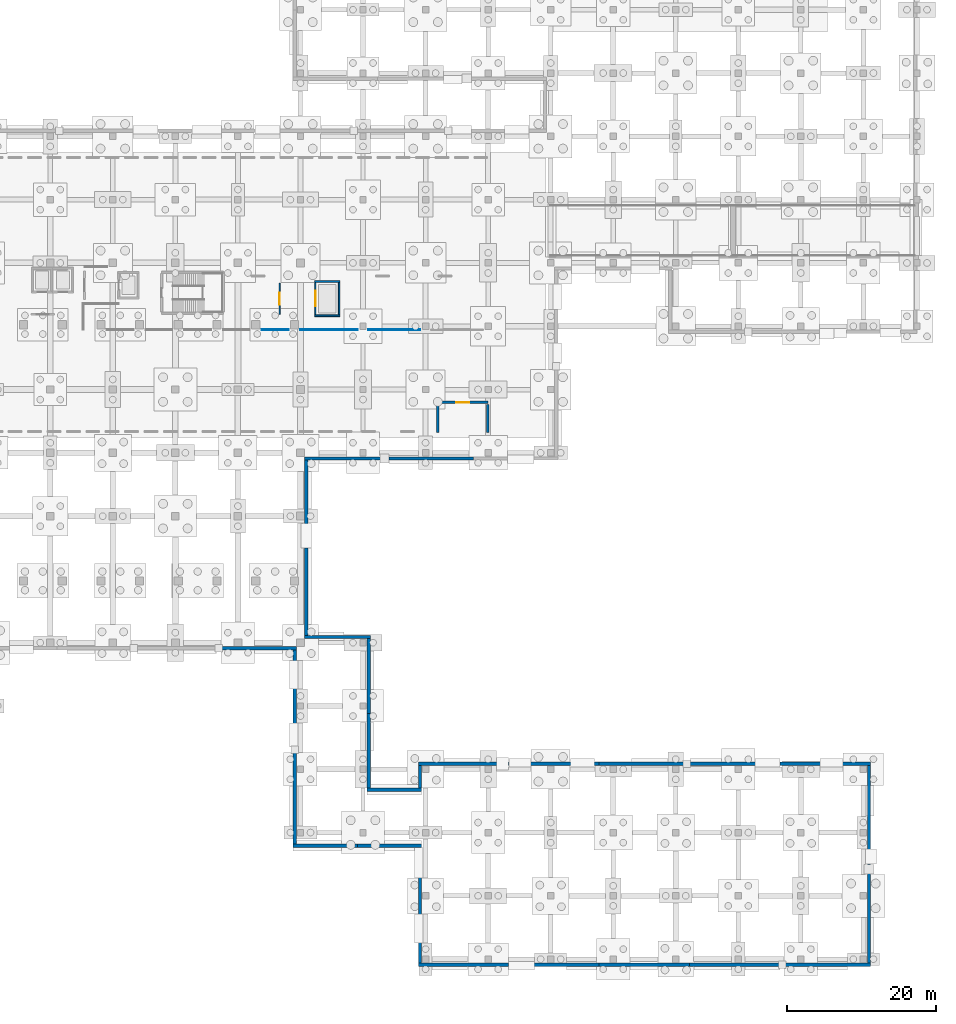
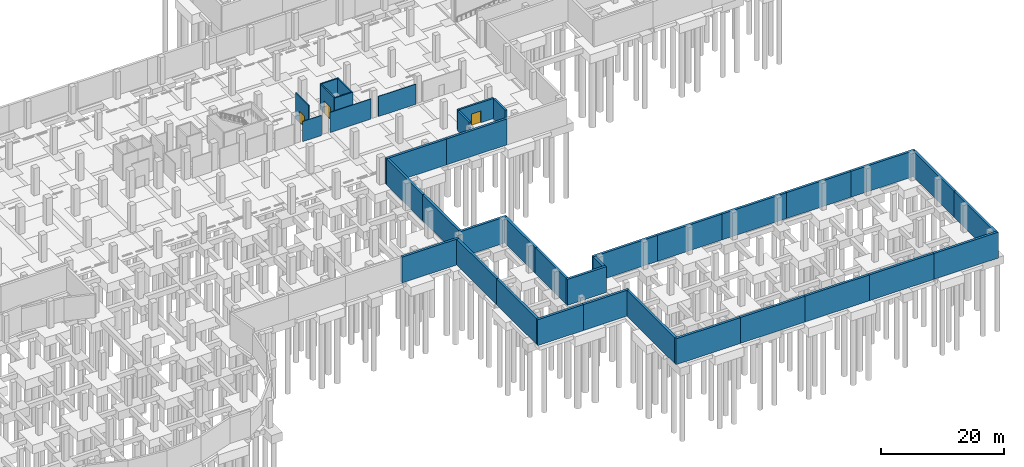
# One storey, part 26 of 34: 38 walls, 3 doors, 3 openings.
"""IFC4 building model written with IfcOpenShell, lengths in metres."""

from ifc_helpers import new_model, si_unit, direction, frame, frame_2d, origin, place, context, subcontext, project, spatial, rectangle, extrude, material, layer, layer_set, type_object, element, fill, save


model = new_model("IFC4")

# Units and contexts
model_context = context("Model", 3, precision=1e-05, world=origin(), true_north=direction((0.0, 1.0)))
body_context = subcontext(model_context, "Body", "Model", "MODEL_VIEW")
ifc_project = project(units=[si_unit("LENGTHUNIT", "METRE"), si_unit("AREAUNIT", "SQUARE_METRE"), si_unit("VOLUMEUNIT", "CUBIC_METRE"), si_unit("PLANEANGLEUNIT", "RADIAN"), si_unit("MASSUNIT", "GRAM", prefix="KILO")], contexts=[model_context])

# Site, building, storey
site_placement = place(None, origin())
site = spatial("IfcSite", under=ifc_project, at=site_placement, CompositionType="ELEMENT")
building_placement = place(site_placement, origin())
building = spatial("IfcBuilding", under=site, at=building_placement, Name="Solvento Point Concert Hall", CompositionType="ELEMENT")
storey_placement = place(building_placement, frame((0.0, 0.0, -5.39990234375)))
storey = spatial("IfcBuildingStorey", under=building, at=storey_placement, Name="B01", CompositionType="ELEMENT", Elevation=-5.39990234375)

# Walls
ifc_material_1 = material(Name="Acoustic Double-Stud Gypsum Partition")
ifc_layer_1 = layer(ifc_material_1, 0.1201171875)
ifc_layer_set_1 = layer_set([ifc_layer_1], Name="Acoustic Double-Stud Gypsum Partition")
wall_type_1 = type_object("IfcWallType", Name="AcousticPartition_120", PredefinedType="PARTITIONING", material=ifc_layer_set_1)
wall_1_placement = place(storey_placement, frame((149.320068359375, 84.52001953125, 0.0), z_axis=(0.0, 0.0, 1.0), x_axis=(-1.0, 0.0, 0.0)))
element("IfcWall", 1, at=wall_1_placement, inside=storey, type_object=wall_type_1, Name="Interior acoustic partition PW-52 B01", PredefinedType="PARTITIONING", context=body_context, shape_type="SweptSolid", body=[
    extrude(rectangle(XDim=7.0400390625, YDim=0.1201171875, at=frame_2d((3.52001953125, 0.0))), origin(), (0.0, 0.0, 1.0), 4.02001953125),
])
wall_2_placement = place(storey_placement, frame((140.919921875, 84.52001953125, 0.0), z_axis=(0.0, 0.0, 1.0), x_axis=(-1.0, 0.0, 0.0)))
element("IfcWall", 2, at=wall_2_placement, inside=storey, type_object=wall_type_1, Name="Interior acoustic partition PW-52 B01", PredefinedType="PARTITIONING", context=body_context, shape_type="SweptSolid", body=[
    extrude(rectangle(XDim=7.719970703125, YDim=0.1201171875, at=frame_2d((3.85986328125, 0.0))), origin(), (0.0, 0.0, 1.0), 4.02001953125),
])
wall_3_placement = place(storey_placement, frame((131.60009765625, 84.52001953125, 0.0), z_axis=(0.0, 0.0, 1.0), x_axis=(-1.0, 0.0, 0.0)))
element("IfcWall", 3, at=wall_3_placement, inside=storey, type_object=wall_type_1, Name="Interior acoustic partition PW-52 B01", PredefinedType="PARTITIONING", context=body_context, shape_type="SweptSolid", body=[
    extrude(rectangle(XDim=3.60009765625, YDim=0.1201171875, at=frame_2d((1.800048828125, 0.0))), origin(), (0.0, 0.0, 1.0), 4.02001953125),
])

# Wall, opening, door
ifc_material_2 = material(Name="Acoustic Double-Stud Gypsum Partition")
ifc_layer_2 = layer(ifc_material_2, 0.2080078125)
ifc_layer_set_2 = layer_set([ifc_layer_2], Name="Acoustic Double-Stud Gypsum Partition")
wall_type_2 = type_object("IfcWallType", Name="AcousticPartition_208", PredefinedType="PARTITIONING", material=ifc_layer_set_2)
wall_4_placement = place(storey_placement, frame((130.39990234375, 90.800048828125, 0.0), z_axis=(0.0, 0.0, 1.0), x_axis=(0.0, -1.0, 0.0)))
wall_4 = element("IfcWall", 4, at=wall_4_placement, inside=storey, type_object=wall_type_2, Name="Lift lobby partition LG-01 B01", PredefinedType="PARTITIONING", context=body_context, shape_type="SweptSolid", body=[
    extrude(rectangle(XDim=4.199951171875, YDim=0.2080078125, at=frame_2d((2.10009765625, 0.0))), origin(), (0.0, 0.0, 1.0), 5.099853515625),
])
opening_1_placement = place(wall_4_placement, frame((1.27490234375, 0.0, 0.0)))
opening_1 = element("IfcOpeningElement", 5, at=opening_1_placement, cuts=wall_4, Name="Opening D-FL1", PredefinedType="OPENING", context=body_context, shape_type="SweptSolid", body=[
    extrude(rectangle(XDim=1.64990234375, YDim=2.199951171875, at=frame_2d((0.824951171875, 1.10009765625))), frame((0.0, 0.114013671875, 0.0), z_axis=(0.0, -1.0, 0.0), x_axis=(1.0, 0.0, 0.0)), (0.0, 0.0, 1.0), 0.22802734375),
])
ifc_material_3 = material(Name="Hollow Metal Acoustic Fire Door")
door_type_1 = type_object("IfcDoorType", Name="FireLobbyDoor_1600", OperationType="DOUBLE_DOOR_SINGLE_SWING", PredefinedType="DOOR", material=ifc_material_3)
door_1_placement = place(opening_1_placement, origin())
door_1 = element("IfcDoor", 6, at=door_1_placement, inside=storey, type_object=door_type_1, Name="Lift lobby door LG-01 B01", OperationType="DOUBLE_DOOR_SINGLE_SWING", OverallHeight=2.199951171875, OverallWidth=1.64990234375, PredefinedType="DOOR", context=body_context, shape_type="SweptSolid", body=[
    extrude(rectangle(XDim=1.64990234375, YDim=2.199951171875, at=frame_2d((0.824951171875, 1.10009765625))), frame((0.0, 0.02490234375, 0.0), z_axis=(0.0, -1.0, 0.0), x_axis=(1.0, 0.0, 0.0)), (0.0, 0.0, 1.0), 0.050048828125),
])
fill(opening_1, door_1)

ifc_material_4 = material(Name="Acoustic Double-Stud Gypsum Partition")
ifc_layer_3 = layer(ifc_material_4, 0.340087890625)
ifc_layer_set_3 = layer_set([ifc_layer_3], Name="Acoustic Double-Stud Gypsum Partition")
wall_type_3 = type_object("IfcWallType", Name="AcousticPartition_340", PredefinedType="PARTITIONING", material=ifc_layer_set_3)
wall_5_placement = place(storey_placement, frame((151.6201171875, 74.780029296875, 0.0), z_axis=(0.0, 0.0, 1.0), x_axis=(1.0, 0.0, 0.0)))
wall_5 = element("IfcWall", 7, at=wall_5_placement, inside=storey, type_object=wall_type_3, Name="Interior acoustic partition PW-24 B01", PredefinedType="PARTITIONING", context=body_context, shape_type="SweptSolid", body=[
    extrude(rectangle(XDim=6.759765625, YDim=0.340087890625, at=frame_2d((3.3798828125, 0.0))), origin(), (0.0, 0.0, 1.0), 4.02001953125),
])
opening_2_placement = place(wall_5_placement, frame((2.47998046875, 0.0, 0.0)))
opening_2 = element("IfcOpeningElement", 8, at=opening_2_placement, cuts=wall_5, Name="Opening DR-98", PredefinedType="OPENING", context=body_context, shape_type="SweptSolid", body=[
    extrude(rectangle(XDim=1.800048828125, YDim=2.340087890625, at=frame_2d((0.89990234375, 1.169921875))), frame((0.0, 0.179931640625, 0.0), z_axis=(0.0, -1.0, 0.0), x_axis=(1.0, 0.0, 0.0)), (0.0, 0.0, 1.0), 0.360107421875),
])
ifc_material_5 = material(Name="Brazilian Hardwood Acoustic Door", Category="wood")
door_type_2 = type_object("IfcDoorType", Name="IntDoor_SubstationPlant", OperationType="NOTDEFINED", PredefinedType="DOOR", material=ifc_material_5)
door_2_placement = place(opening_2_placement, origin())
door_2 = element("IfcDoor", 9, at=door_2_placement, inside=storey, type_object=door_type_2, Name="Interior door DR-98 B01", OperationType="SINGLE_SWING_LEFT", OverallHeight=2.340087890625, OverallWidth=1.800048828125, PredefinedType="DOOR", context=body_context, shape_type="SweptSolid", body=[
    extrude(rectangle(XDim=1.800048828125, YDim=2.340087890625, at=frame_2d((0.89990234375, 1.169921875))), frame((0.0, 0.02490234375, 0.0), z_axis=(0.0, -1.0, 0.0), x_axis=(1.0, 0.0, 0.0)), (0.0, 0.0, 1.0), 0.050048828125),
])
fill(opening_2, door_2)

# Walls
for number, where, z_axis, x_axis, name in (
    (10, (158.3798828125, 74.4599609375, 0.0), (0.0, 0.0, 1.0), (0.0, -1.0, 0.0), "Interior acoustic partition PW-24 B01"),
    (11, (151.6201171875, 70.699951171875, 0.0), (0.0, 0.0, 1.0), (0.0, 1.0, 0.0), "Interior acoustic partition PW-24 B01"),
):
    element("IfcWall", number, at=place(storey_placement, frame(where, z_axis=z_axis, x_axis=x_axis)), inside=storey, type_object=wall_type_3, Name=name, PredefinedType="PARTITIONING", context=body_context, shape_type="SweptSolid", body=[
        extrude(rectangle(XDim=3.760009765625, YDim=0.340087890625, at=frame_2d((1.8798828125, 0.0))), origin(), (0.0, 0.0, 1.0), 4.02001953125),
    ])
ifc_material_6 = material(Name="Concrete C40/50", Category="concrete")
ifc_layer_4 = layer(ifc_material_6, 0.300048828125)
ifc_layer_set_4 = layer_set([ifc_layer_4], Name="Concrete C40/50")
wall_type_4 = type_object("IfcWallType", Name="CoreShearWall_300", PredefinedType="SHEAR", material=ifc_layer_set_4)
for number, where, z_axis, x_axis, name in (
    (12, (135.090087890625, 86.39990234375, 0.0), (0.0, 0.0, 1.0), (1.0, 0.0, 0.0), "Elevator shaft shear wall W-SH1 LG-01 B01"),
    (13, (135.090087890625, 91.0, 0.0), (0.0, 0.0, 1.0), (1.0, 0.0, 0.0), "Elevator shaft shear wall W-SH1 LG-01 B01"),
):
    element("IfcWall", number, at=place(storey_placement, frame(where, z_axis=z_axis, x_axis=x_axis)), inside=storey, type_object=wall_type_4, Name=name, PredefinedType="SHEAR", context=body_context, shape_type="SweptSolid", body=[
        extrude(rectangle(XDim=3.419921875, YDim=0.219970703125, at=frame_2d((1.7099609375, 0.0))), origin(), (0.0, 0.0, 1.0), 5.099853515625),
    ])

# Wall, opening, door
wall_6_placement = place(storey_placement, frame((135.199951171875, 86.510009765625, 0.0), z_axis=(0.0, 0.0, 1.0), x_axis=(0.0, 1.0, 0.0)))
wall_6 = element("IfcWall", 14, at=wall_6_placement, inside=storey, type_object=wall_type_4, Name="Elevator shaft shear wall W-SH1 LG-01 B01", PredefinedType="SHEAR", context=body_context, shape_type="SweptSolid", body=[
    extrude(rectangle(XDim=4.3798828125, YDim=0.219970703125, at=frame_2d((2.18994140625, 0.0))), origin(), (0.0, 0.0, 1.0), 5.099853515625),
])
opening_3_placement = place(wall_6_placement, frame((1.139892578125, 0.0, 0.0)))
opening_3 = element("IfcOpeningElement", 15, at=opening_3_placement, cuts=wall_6, Name="Opening LD-03", PredefinedType="OPENING", context=body_context, shape_type="SweptSolid", body=[
    extrude(rectangle(XDim=2.10009765625, YDim=2.449951171875, at=frame_2d((1.050048828125, 1.22509765625))), frame((0.0, 0.119873046875, 0.0), z_axis=(0.0, -1.0, 0.0), x_axis=(1.0, 0.0, 0.0)), (0.0, 0.0, 1.0), 0.239990234375),
])
ifc_material_7 = material(Name="Hollow Metal Acoustic Fire Door")
door_type_3 = type_object("IfcDoorType", Name="LiftLandingDoor_Goods", OperationType="DOUBLE_DOOR_SLIDING", PredefinedType="DOOR", material=ifc_material_7)
door_3_placement = place(opening_3_placement, origin())
door_3 = element("IfcDoor", 16, at=door_3_placement, inside=storey, type_object=door_type_3, Name="Elevator landing door LG-01 B01", OperationType="DOUBLE_DOOR_SLIDING", OverallHeight=2.449951171875, OverallWidth=2.10009765625, PredefinedType="DOOR", context=body_context, shape_type="SweptSolid", body=[
    extrude(rectangle(XDim=2.10009765625, YDim=2.449951171875, at=frame_2d((1.050048828125, 1.22509765625))), frame((0.0, 0.02490234375, 0.0), z_axis=(0.0, -1.0, 0.0), x_axis=(1.0, 0.0, 0.0)), (0.0, 0.0, 1.0), 0.050048828125),
])
fill(opening_3, door_3)

# Walls
wall_7_placement = place(storey_placement, frame((138.39990234375, 86.510009765625, 0.0), z_axis=(0.0, 0.0, 1.0), x_axis=(0.0, 1.0, 0.0)))
element("IfcWall", 17, at=wall_7_placement, inside=storey, type_object=wall_type_4, Name="Elevator shaft shear wall W-SH1 LG-01 B01", PredefinedType="SHEAR", context=body_context, shape_type="SweptSolid", body=[
    extrude(rectangle(XDim=4.3798828125, YDim=0.219970703125, at=frame_2d((2.18994140625, 0.0))), origin(), (0.0, 0.0, 1.0), 5.099853515625),
])
ifc_material_8 = material(Name="Concrete C35/45", Category="concrete")
ifc_layer_5 = layer(ifc_material_8, 0.449951171875)
ifc_layer_set_5 = layer_set([ifc_layer_5], Name="Concrete C35/45")
wall_type_5 = type_object("IfcWallType", Name="RetainingWall_450", PredefinedType="USERDEFINED", material=ifc_layer_set_5)
wall_8_placement = place(storey_placement, frame((156.429931640625, 67.2451171875, 0.0), z_axis=(0.0, 0.0, 1.0), x_axis=(-1.0, 0.0, 0.0)))
element("IfcWall", 18, at=wall_8_placement, inside=storey, type_object=wall_type_5, Name="Headland plinth retaining wall RW-01", ObjectType="RETAINING WALL", PredefinedType="USERDEFINED", context=body_context, shape_type="SweptSolid", body=[
    extrude(rectangle(XDim=11.349853515625, YDim=0.449951171875, at=frame_2d((5.6748046875, 0.0))), origin(), (0.0, 0.0, 1.0), 5.15478515625),
])
wall_9_placement = place(storey_placement, frame((145.080078125, 67.2451171875, 0.0), z_axis=(0.0, 0.0, 1.0), x_axis=(-1.0, 0.0, 0.0)))
element("IfcWall", 19, at=wall_9_placement, inside=storey, type_object=wall_type_5, Name="Headland plinth retaining wall RW-01", ObjectType="RETAINING WALL", PredefinedType="USERDEFINED", context=body_context, shape_type="SweptSolid", body=[
    extrude(rectangle(XDim=11.35009765625, YDim=0.449951171875, at=frame_2d((5.675048828125, 0.0))), origin(), (0.0, 0.0, 1.0), 5.15478515625),
])
for number, where, z_axis, x_axis, name in (
    (20, (133.955078125, 67.02001953125, 0.0), (0.0, 0.0, 1.0), (0.0, -1.0, 0.0), "Headland plinth retaining wall RW-01"),
    (21, (133.955078125, 55.25, 0.0), (0.0, 0.0, 1.0), (0.0, -1.0, 0.0), "Headland plinth retaining wall RW-01"),
):
    element("IfcWall", number, at=place(storey_placement, frame(where, z_axis=z_axis, x_axis=x_axis)), inside=storey, type_object=wall_type_5, Name=name, ObjectType="RETAINING WALL", PredefinedType="USERDEFINED", context=body_context, shape_type="SweptSolid", body=[
        extrude(rectangle(XDim=11.77001953125, YDim=0.449951171875, at=frame_2d((5.885009765625, 0.0))), origin(), (0.0, 0.0, 1.0), 5.15478515625),
    ])
wall_10_placement = place(storey_placement, frame((133.72998046875, 43.2548828125, 0.0), z_axis=(0.0, 0.0, 1.0), x_axis=(1.0, 0.0, 0.0)))
element("IfcWall", 22, at=wall_10_placement, inside=storey, type_object=wall_type_5, Name="Headland plinth retaining wall RW-01", ObjectType="RETAINING WALL", PredefinedType="USERDEFINED", context=body_context, shape_type="SweptSolid", body=[
    extrude(rectangle(XDim=8.85009765625, YDim=0.449951171875, at=frame_2d((4.425048828125, 0.0))), origin(), (0.0, 0.0, 1.0), 5.15478515625),
])
wall_11_placement = place(storey_placement, frame((142.35498046875, 43.030029296875, 0.0), z_axis=(0.0, 0.0, 1.0), x_axis=(0.0, -1.0, 0.0)))
element("IfcWall", 23, at=wall_11_placement, inside=storey, type_object=wall_type_5, Name="Headland plinth retaining wall RW-01", ObjectType="RETAINING WALL", PredefinedType="USERDEFINED", context=body_context, shape_type="SweptSolid", body=[
    extrude(rectangle(XDim=10.025146484375, YDim=0.449951171875, at=frame_2d((5.0126953125, 0.0))), origin(), (0.0, 0.0, 1.0), 5.15478515625),
])
wall_12_placement = place(storey_placement, frame((142.35498046875, 33.0048828125, 0.0), z_axis=(0.0, 0.0, 1.0), x_axis=(0.0, -1.0, 0.0)))
element("IfcWall", 24, at=wall_12_placement, inside=storey, type_object=wall_type_5, Name="Headland plinth retaining wall RW-01", ObjectType="RETAINING WALL", PredefinedType="USERDEFINED", context=body_context, shape_type="SweptSolid", body=[
    extrude(rectangle(XDim=10.02490234375, YDim=0.449951171875, at=frame_2d((5.012451171875, 0.0))), origin(), (0.0, 0.0, 1.0), 5.15478515625),
])
wall_13_placement = place(storey_placement, frame((142.1298828125, 22.7548828125, 0.0), z_axis=(0.0, 0.0, 1.0), x_axis=(1.0, 0.0, 0.0)))
element("IfcWall", 25, at=wall_13_placement, inside=storey, type_object=wall_type_5, Name="Headland plinth retaining wall RW-01", ObjectType="RETAINING WALL", PredefinedType="USERDEFINED", context=body_context, shape_type="SweptSolid", body=[
    extrude(rectangle(XDim=7.340087890625, YDim=0.449951171875, at=frame_2d((3.669921875, 0.0))), origin(), (0.0, 0.0, 1.0), 5.15478515625),
])
wall_14_placement = place(storey_placement, frame((149.2451171875, 22.97998046875, 0.0), z_axis=(0.0, 0.0, 1.0), x_axis=(0.0, 1.0, 0.0)))
element("IfcWall", 26, at=wall_14_placement, inside=storey, type_object=wall_type_5, Name="Headland plinth retaining wall RW-01", ObjectType="RETAINING WALL", PredefinedType="USERDEFINED", context=body_context, shape_type="SweptSolid", body=[
    extrude(rectangle(XDim=3.050048828125, YDim=0.449951171875, at=frame_2d((1.52490234375, 0.0))), origin(), (0.0, 0.0, 1.0), 5.15478515625),
])
wall_15_placement = place(storey_placement, frame((149.02001953125, 26.2548828125, 0.0), z_axis=(0.0, 0.0, 1.0), x_axis=(1.0, 0.0, 0.0)))
element("IfcWall", 27, at=wall_15_placement, inside=storey, type_object=wall_type_5, Name="Headland plinth retaining wall RW-01", ObjectType="RETAINING WALL", PredefinedType="USERDEFINED", context=body_context, shape_type="SweptSolid", body=[
    extrude(rectangle(XDim=12.152099609375, YDim=0.449951171875, at=frame_2d((6.076171875, 0.0))), origin(), (0.0, 0.0, 1.0), 5.15478515625),
])
wall_16_placement = place(storey_placement, frame((161.172119140625, 26.2548828125, 0.0), z_axis=(0.0, 0.0, 1.0), x_axis=(1.0, 0.0, 0.0)))
element("IfcWall", 28, at=wall_16_placement, inside=storey, type_object=wall_type_5, Name="Headland plinth retaining wall RW-01", ObjectType="RETAINING WALL", PredefinedType="USERDEFINED", context=body_context, shape_type="SweptSolid", body=[
    extrude(rectangle(XDim=12.15185546875, YDim=0.449951171875, at=frame_2d((6.075927734375, 0.0))), origin(), (0.0, 0.0, 1.0), 5.15478515625),
])
wall_17_placement = place(storey_placement, frame((173.323974609375, 26.2548828125, 0.0), z_axis=(0.0, 0.0, 1.0), x_axis=(1.0, 0.0, 0.0)))
element("IfcWall", 29, at=wall_17_placement, inside=storey, type_object=wall_type_5, Name="Headland plinth retaining wall RW-01", ObjectType="RETAINING WALL", PredefinedType="USERDEFINED", context=body_context, shape_type="SweptSolid", body=[
    extrude(rectangle(XDim=12.152099609375, YDim=0.449951171875, at=frame_2d((6.076171875, 0.0))), origin(), (0.0, 0.0, 1.0), 5.15478515625),
])
wall_18_placement = place(storey_placement, frame((185.47607421875, 26.2548828125, 0.0), z_axis=(0.0, 0.0, 1.0), x_axis=(1.0, 0.0, 0.0)))
element("IfcWall", 30, at=wall_18_placement, inside=storey, type_object=wall_type_5, Name="Headland plinth retaining wall RW-01", ObjectType="RETAINING WALL", PredefinedType="USERDEFINED", context=body_context, shape_type="SweptSolid", body=[
    extrude(rectangle(XDim=12.15185546875, YDim=0.449951171875, at=frame_2d((6.075927734375, 0.0))), origin(), (0.0, 0.0, 1.0), 5.15478515625),
])
wall_19_placement = place(storey_placement, frame((197.6279296875, 26.2548828125, 0.0), z_axis=(0.0, 0.0, 1.0), x_axis=(1.0, 0.0, 0.0)))
element("IfcWall", 31, at=wall_19_placement, inside=storey, type_object=wall_type_5, Name="Headland plinth retaining wall RW-01", ObjectType="RETAINING WALL", PredefinedType="USERDEFINED", context=body_context, shape_type="SweptSolid", body=[
    extrude(rectangle(XDim=12.152099609375, YDim=0.449951171875, at=frame_2d((6.076171875, 0.0))), origin(), (0.0, 0.0, 1.0), 5.15478515625),
])
for number, where, z_axis, x_axis, name in (
    (32, (209.554931640625, 26.030029296875, 0.0), (0.0, 0.0, 1.0), (0.0, -1.0, 0.0), "Headland plinth retaining wall RW-01"),
    (33, (209.554931640625, 12.75, 0.0), (0.0, 0.0, 1.0), (0.0, -1.0, 0.0), "Headland plinth retaining wall RW-01"),
):
    element("IfcWall", number, at=place(storey_placement, frame(where, z_axis=z_axis, x_axis=x_axis)), inside=storey, type_object=wall_type_5, Name=name, ObjectType="RETAINING WALL", PredefinedType="USERDEFINED", context=body_context, shape_type="SweptSolid", body=[
        extrude(rectangle(XDim=13.280029296875, YDim=0.449951171875, at=frame_2d((6.64013671875, 0.0))), origin(), (0.0, 0.0, 1.0), 5.15478515625),
    ])
wall_20_placement = place(storey_placement, frame((209.780029296875, -0.7548828125, 0.0), z_axis=(0.0, 0.0, 1.0), x_axis=(-1.0, 0.0, 0.0)))
element("IfcWall", 34, at=wall_20_placement, inside=storey, type_object=wall_type_5, Name="Headland plinth retaining wall RW-01", ObjectType="RETAINING WALL", PredefinedType="USERDEFINED", context=body_context, shape_type="SweptSolid", body=[
    extrude(rectangle(XDim=12.152099609375, YDim=0.449951171875, at=frame_2d((6.076171875, 0.0))), origin(), (0.0, 0.0, 1.0), 5.15478515625),
])
wall_21_placement = place(storey_placement, frame((197.6279296875, -0.7548828125, 0.0), z_axis=(0.0, 0.0, 1.0), x_axis=(-1.0, 0.0, 0.0)))
element("IfcWall", 35, at=wall_21_placement, inside=storey, type_object=wall_type_5, Name="Headland plinth retaining wall RW-01", ObjectType="RETAINING WALL", PredefinedType="USERDEFINED", context=body_context, shape_type="SweptSolid", body=[
    extrude(rectangle(XDim=12.15185546875, YDim=0.449951171875, at=frame_2d((6.075927734375, 0.0))), origin(), (0.0, 0.0, 1.0), 5.15478515625),
])
wall_22_placement = place(storey_placement, frame((185.47607421875, -0.7548828125, 0.0), z_axis=(0.0, 0.0, 1.0), x_axis=(-1.0, 0.0, 0.0)))
element("IfcWall", 36, at=wall_22_placement, inside=storey, type_object=wall_type_5, Name="Headland plinth retaining wall RW-01", ObjectType="RETAINING WALL", PredefinedType="USERDEFINED", context=body_context, shape_type="SweptSolid", body=[
    extrude(rectangle(XDim=12.152099609375, YDim=0.449951171875, at=frame_2d((6.076171875, 0.0))), origin(), (0.0, 0.0, 1.0), 5.15478515625),
])
wall_23_placement = place(storey_placement, frame((173.323974609375, -0.7548828125, 0.0), z_axis=(0.0, 0.0, 1.0), x_axis=(-1.0, 0.0, 0.0)))
element("IfcWall", 37, at=wall_23_placement, inside=storey, type_object=wall_type_5, Name="Headland plinth retaining wall RW-01", ObjectType="RETAINING WALL", PredefinedType="USERDEFINED", context=body_context, shape_type="SweptSolid", body=[
    extrude(rectangle(XDim=12.15185546875, YDim=0.449951171875, at=frame_2d((6.075927734375, 0.0))), origin(), (0.0, 0.0, 1.0), 5.15478515625),
])
wall_24_placement = place(storey_placement, frame((161.172119140625, -0.7548828125, 0.0), z_axis=(0.0, 0.0, 1.0), x_axis=(-1.0, 0.0, 0.0)))
element("IfcWall", 38, at=wall_24_placement, inside=storey, type_object=wall_type_5, Name="Headland plinth retaining wall RW-01", ObjectType="RETAINING WALL", PredefinedType="USERDEFINED", context=body_context, shape_type="SweptSolid", body=[
    extrude(rectangle(XDim=12.152099609375, YDim=0.449951171875, at=frame_2d((6.076171875, 0.0))), origin(), (0.0, 0.0, 1.0), 5.15478515625),
])
wall_25_placement = place(storey_placement, frame((149.2451171875, -0.530029296875, 0.0), z_axis=(0.0, 0.0, 1.0), x_axis=(0.0, 1.0, 0.0)))
element("IfcWall", 39, at=wall_25_placement, inside=storey, type_object=wall_type_5, Name="Headland plinth retaining wall RW-01", ObjectType="RETAINING WALL", PredefinedType="USERDEFINED", context=body_context, shape_type="SweptSolid", body=[
    extrude(rectangle(XDim=15.550048828125, YDim=0.449951171875, at=frame_2d((7.77490234375, 0.0))), origin(), (0.0, 0.0, 1.0), 5.15478515625),
])
for number, where, z_axis, x_axis, name in (
    (40, (149.469970703125, 15.2451171875, 0.0), (0.0, 0.0, 1.0), (-1.0, 0.0, 0.0), "Headland plinth retaining wall RW-01"),
    (41, (140.844970703125, 15.2451171875, 0.0), (0.0, 0.0, 1.0), (-1.0, 0.0, 0.0), "Headland plinth retaining wall RW-01"),
):
    element("IfcWall", number, at=place(storey_placement, frame(where, z_axis=z_axis, x_axis=x_axis)), inside=storey, type_object=wall_type_5, Name=name, ObjectType="RETAINING WALL", PredefinedType="USERDEFINED", context=body_context, shape_type="SweptSolid", body=[
        extrude(rectangle(XDim=8.625, YDim=0.449951171875, at=frame_2d((4.3125, 0.0))), origin(), (0.0, 0.0, 1.0), 5.15478515625),
    ])
wall_26_placement = place(storey_placement, frame((132.445068359375, 15.469970703125, 0.0), z_axis=(0.0, 0.0, 1.0), x_axis=(0.0, 1.0, 0.0)))
element("IfcWall", 42, at=wall_26_placement, inside=storey, type_object=wall_type_5, Name="Headland plinth retaining wall RW-01", ObjectType="RETAINING WALL", PredefinedType="USERDEFINED", context=body_context, shape_type="SweptSolid", body=[
    extrude(rectangle(XDim=13.025146484375, YDim=0.449951171875, at=frame_2d((6.5126953125, 0.0))), origin(), (0.0, 0.0, 1.0), 5.15478515625),
])
wall_27_placement = place(storey_placement, frame((132.445068359375, 28.4951171875, 0.0), z_axis=(0.0, 0.0, 1.0), x_axis=(0.0, 1.0, 0.0)))
element("IfcWall", 43, at=wall_27_placement, inside=storey, type_object=wall_type_5, Name="Headland plinth retaining wall RW-01", ObjectType="RETAINING WALL", PredefinedType="USERDEFINED", context=body_context, shape_type="SweptSolid", body=[
    extrude(rectangle(XDim=13.02490234375, YDim=0.449951171875, at=frame_2d((6.512451171875, 0.0))), origin(), (0.0, 0.0, 1.0), 5.15478515625),
])
wall_28_placement = place(storey_placement, frame((132.669921875, 41.7451171875, 0.0), z_axis=(0.0, 0.0, 1.0), x_axis=(-1.0, 0.0, 0.0)))
element("IfcWall", 44, at=wall_28_placement, inside=storey, type_object=wall_type_5, Name="Headland plinth retaining wall RW-01", ObjectType="RETAINING WALL", PredefinedType="USERDEFINED", context=body_context, shape_type="SweptSolid", body=[
    extrude(rectangle(XDim=10.714599609375, YDim=0.449951171875, at=frame_2d((5.357421875, 0.0))), origin(), (0.0, 0.0, 1.0), 5.15478515625),
])

save(model, "model.ifc")
